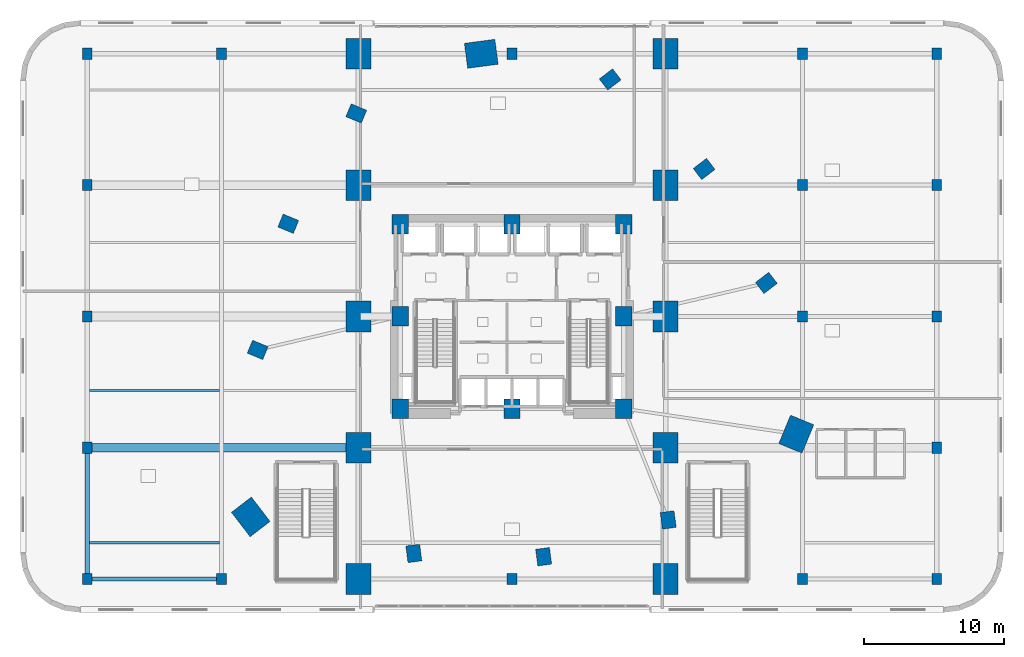
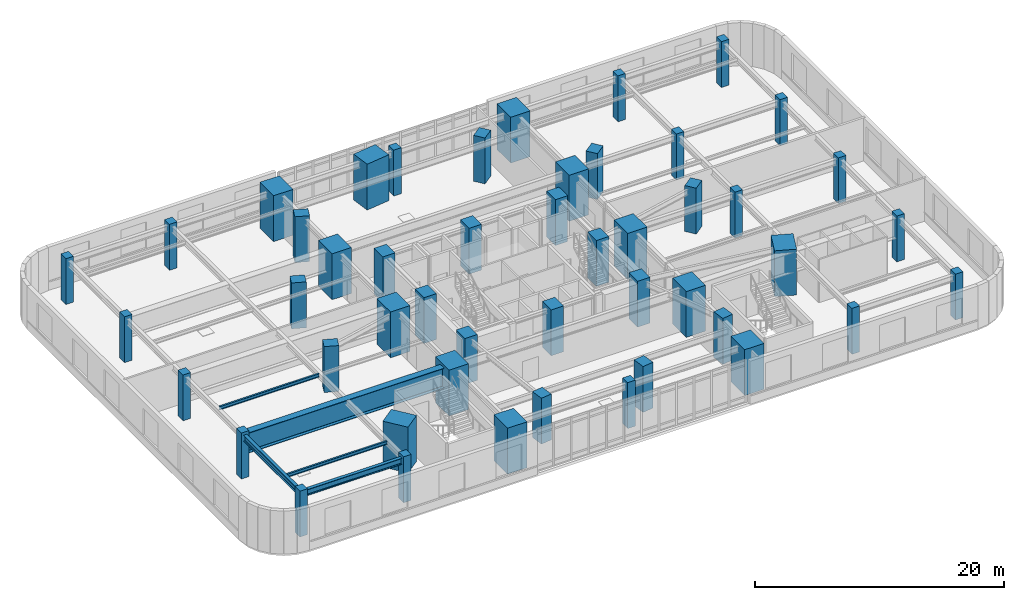
# One storey, part 1 of 19: 48 columns, 5 beams.
"""IFC4 building model written with IfcOpenShell, lengths in metres."""

from ifc_helpers import new_model, si_unit, direction, frame, origin, origin_2d, place, context, subcontext, project, spatial, rectangle, i_section, extrude, material, material_profile, profile_set, type_object, element, save


model = new_model("IFC4")

# Units and contexts
model_context = context("Model", 3, precision=1e-05, world=origin(), true_north=direction((0.0, 1.0)))
body_context = subcontext(model_context, "Body", "Model", "MODEL_VIEW")
ifc_project = project(units=[si_unit("LENGTHUNIT", "METRE"), si_unit("AREAUNIT", "SQUARE_METRE"), si_unit("VOLUMEUNIT", "CUBIC_METRE"), si_unit("PLANEANGLEUNIT", "RADIAN"), si_unit("MASSUNIT", "GRAM", prefix="KILO")], contexts=[model_context])

# Site, building, storey
site_placement = place(None, origin())
site = spatial("IfcSite", under=ifc_project, at=site_placement, CompositionType="ELEMENT")
building_placement = place(site_placement, origin())
building = spatial("IfcBuilding", under=site, at=building_placement, Name="Ndelora Gate Hotel", CompositionType="ELEMENT")
storey_placement = place(building_placement, frame((0.0, 0.0, 21.5)))
storey = spatial("IfcBuildingStorey", under=building, at=storey_placement, Name="L04", CompositionType="ELEMENT", Elevation=21.5)

# Columns
ifc_material_1 = material(Name="Concrete C60/75", Category="concrete")
ifc_material_profile_1 = material_profile(ifc_material_1, rectangle(XDim=1.800048828125, YDim=2.199951171875, at=origin_2d()), Name="RC 2200x1800")
ifc_profile_set_1 = profile_set([ifc_material_profile_1], Name="Concrete C60/75")
column_type_1 = type_object("IfcColumnType", Name="COL-ARCH-PIER", PredefinedType="COLUMN", material=ifc_profile_set_1)
for number, where, z_axis, x_axis, name in (
    (1, (-11.0, -18.800048828125, 0.0), (0.0, 0.0, 1.0), (1.0, 0.0, 0.0), "L04 Podium Column PC-04-01"),
    (2, (-11.0, -9.39990234375, 0.0), (0.0, 0.0, 1.0), (1.0, 0.0, 0.0), "L04 Podium Column PC-04-02"),
    (3, (-11.0, 0.0, 0.0), (0.0, 0.0, 1.0), (1.0, 0.0, 0.0), "L04 Podium Column PC-04-03"),
    (4, (-11.0, 9.39990234375, 0.0), (0.0, 0.0, 1.0), (1.0, 0.0, 0.0), "L04 Podium Column PC-04-04"),
    (5, (-11.0, 18.800048828125, 0.0), (0.0, 0.0, 1.0), (1.0, 0.0, 0.0), "L04 Podium Column PC-04-05"),
    (6, (11.0, -18.800048828125, 0.0), (0.0, 0.0, 1.0), (1.0, 0.0, 0.0), "L04 Podium Column PC-05-01"),
    (7, (11.0, -9.39990234375, 0.0), (0.0, 0.0, 1.0), (1.0, 0.0, 0.0), "L04 Podium Column PC-05-02"),
    (8, (11.0, 0.0, 0.0), (0.0, 0.0, 1.0), (1.0, 0.0, 0.0), "L04 Podium Column PC-05-03"),
    (9, (11.0, 9.39990234375, 0.0), (0.0, 0.0, 1.0), (1.0, 0.0, 0.0), "L04 Podium Column PC-05-04"),
    (10, (11.0, 18.800048828125, 0.0), (0.0, 0.0, 1.0), (1.0, 0.0, 0.0), "L04 Podium Column PC-05-05"),
):
    element("IfcColumn", number, at=place(storey_placement, frame(where, z_axis=z_axis, x_axis=x_axis)), inside=storey, type_object=column_type_1, Name=name, PredefinedType="COLUMN", context=body_context, shape_type="SweptSolid", body=[
        extrude(rectangle(XDim=1.800048828125, YDim=2.199951171875, at=origin_2d()), origin(), (0.0, 0.0, 1.0), 4.5),
    ])
ifc_material_profile_2 = material_profile(ifc_material_1, rectangle(XDim=1.14990234375, YDim=1.39990234375, at=origin_2d()), Name="RC 1400x1150")
ifc_profile_set_2 = profile_set([ifc_material_profile_2], Name="Concrete C60/75")
column_type_2 = type_object("IfcColumnType", Name="COL-CC-LOW", PredefinedType="COLUMN", material=ifc_profile_set_2)
for number, where, z_axis, x_axis, name in (
    (11, (-8.0, -6.60009765625, 0.0), (0.0, 0.0, 1.0), (1.0, 0.0, 0.0), "L04 Core Column CC1"),
    (12, (0.0, -6.60009765625, 0.0), (0.0, 0.0, 1.0), (1.0, 0.0, 0.0), "L04 Core Column CC2"),
    (13, (8.0, -6.60009765625, 0.0), (0.0, 0.0, 1.0), (1.0, 0.0, 0.0), "L04 Core Column CC3"),
    (14, (8.0, 0.0, 0.0), (0.0, 0.0, 1.0), (1.0, 0.0, 0.0), "L04 Core Column CC4"),
    (15, (8.0, 6.60009765625, 0.0), (0.0, 0.0, 1.0), (1.0, 0.0, 0.0), "L04 Core Column CC5"),
    (16, (0.0, 6.60009765625, 0.0), (0.0, 0.0, 1.0), (1.0, 0.0, 0.0), "L04 Core Column CC6"),
    (17, (-8.0, 6.60009765625, 0.0), (0.0, 0.0, 1.0), (1.0, 0.0, 0.0), "L04 Core Column CC7"),
    (18, (-8.0, 0.0, 0.0), (0.0, 0.0, 1.0), (1.0, 0.0, 0.0), "L04 Core Column CC8"),
):
    element("IfcColumn", number, at=place(storey_placement, frame(where, z_axis=z_axis, x_axis=x_axis)), inside=storey, type_object=column_type_2, Name=name, PredefinedType="COLUMN", context=body_context, shape_type="SweptSolid", body=[
        extrude(rectangle(XDim=1.14990234375, YDim=1.39990234375, at=origin_2d()), origin(), (0.0, 0.0, 1.0), 4.5),
    ])
ifc_material_profile_3 = material_profile(ifc_material_1, rectangle(XDim=1.800048828125, YDim=2.199951171875, at=origin_2d()), Name="RC 2200x1800")
ifc_profile_set_3 = profile_set([ifc_material_profile_3], Name="Concrete C60/75")
column_type_3 = type_object("IfcColumnType", Name="COL-MC-Z1", PredefinedType="COLUMN", material=ifc_profile_set_3)
for number, where, z_axis, x_axis, name in (
    (19, (-2.199951171875, 18.800048828125, 0.0), (0.0, 0.0, 1.0), (-0.13052619222, 0.991444861374, 0.0), "L04 Tower Plumb Root Column R1"),
    (20, (-18.701904296875, -14.3505859375, 0.0), (0.0, 0.0, 1.0), (0.793353340291, 0.608761429009, 0.0), "L04 Tower Plumb Root Column R5"),
    (21, (20.35009765625, -8.42919921875, 0.0), (0.0, 0.0, 1.0), (-0.923879532511, 0.382683432365, 0.0), "L04 Tower Plumb Root Column R9"),
):
    element("IfcColumn", number, at=place(storey_placement, frame(where, z_axis=z_axis, x_axis=x_axis)), inside=storey, type_object=column_type_3, Name=name, PredefinedType="COLUMN", context=body_context, shape_type="SweptSolid", body=[
        extrude(rectangle(XDim=1.800048828125, YDim=2.199951171875, at=origin_2d()), origin(), (0.0, 0.0, 1.0), 4.5),
    ])
ifc_material_2 = material(Name="Concrete C50/60", Category="concrete")
ifc_material_profile_4 = material_profile(ifc_material_2, rectangle(XDim=0.699951171875, YDim=0.800048828125, at=origin_2d()), Name="RC 800x700")
ifc_profile_set_4 = profile_set([ifc_material_profile_4], Name="Concrete C50/60")
column_type_4 = type_object("IfcColumnType", Name="COL-POD-UP", PredefinedType="COLUMN", material=ifc_profile_set_4)
for number, where, z_axis, x_axis, name in (
    (22, (-30.39990234375, -18.800048828125, 0.0), (0.0, 0.0, 1.0), (1.0, 0.0, 0.0), "L04 Podium Column PC-02-01"),
    (23, (-30.39990234375, -9.39990234375, 0.0), (0.0, 0.0, 1.0), (1.0, 0.0, 0.0), "L04 Podium Column PC-02-02"),
    (24, (-30.39990234375, 0.0, 0.0), (0.0, 0.0, 1.0), (1.0, 0.0, 0.0), "L04 Podium Column PC-02-03"),
    (25, (-30.39990234375, 9.39990234375, 0.0), (0.0, 0.0, 1.0), (1.0, 0.0, 0.0), "L04 Podium Column PC-02-04"),
    (26, (-30.39990234375, 18.800048828125, 0.0), (0.0, 0.0, 1.0), (1.0, 0.0, 0.0), "L04 Podium Column PC-02-05"),
    (27, (-20.800048828125, -18.800048828125, 0.0), (0.0, 0.0, 1.0), (1.0, 0.0, 0.0), "L04 Podium Column PC-03-01"),
    (28, (-20.800048828125, 18.800048828125, 0.0), (0.0, 0.0, 1.0), (1.0, 0.0, 0.0), "L04 Podium Column PC-03-05"),
    (29, (20.800048828125, -18.800048828125, 0.0), (0.0, 0.0, 1.0), (1.0, 0.0, 0.0), "L04 Podium Column PC-06-01"),
    (30, (20.800048828125, 0.0, 0.0), (0.0, 0.0, 1.0), (1.0, 0.0, 0.0), "L04 Podium Column PC-06-03"),
    (31, (20.800048828125, 9.39990234375, 0.0), (0.0, 0.0, 1.0), (1.0, 0.0, 0.0), "L04 Podium Column PC-06-04"),
    (32, (20.800048828125, 18.800048828125, 0.0), (0.0, 0.0, 1.0), (1.0, 0.0, 0.0), "L04 Podium Column PC-06-05"),
    (33, (30.39990234375, -18.800048828125, 0.0), (0.0, 0.0, 1.0), (1.0, 0.0, 0.0), "L04 Podium Column PC-07-01"),
    (34, (30.39990234375, -9.39990234375, 0.0), (0.0, 0.0, 1.0), (1.0, 0.0, 0.0), "L04 Podium Column PC-07-02"),
    (35, (30.39990234375, 0.0, 0.0), (0.0, 0.0, 1.0), (1.0, 0.0, 0.0), "L04 Podium Column PC-07-03"),
    (36, (30.39990234375, 9.39990234375, 0.0), (0.0, 0.0, 1.0), (1.0, 0.0, 0.0), "L04 Podium Column PC-07-04"),
    (37, (30.39990234375, 18.800048828125, 0.0), (0.0, 0.0, 1.0), (1.0, 0.0, 0.0), "L04 Podium Column PC-07-05"),
    (38, (0.0, -18.800048828125, 0.0), (0.0, 0.0, 1.0), (1.0, 0.0, 0.0), "L04 Portal Arch Crown Column S"),
    (39, (0.0, 18.800048828125, 0.0), (0.0, 0.0, 1.0), (1.0, 0.0, 0.0), "L04 Portal Arch Crown Column N"),
):
    element("IfcColumn", number, at=place(storey_placement, frame(where, z_axis=z_axis, x_axis=x_axis)), inside=storey, type_object=column_type_4, Name=name, PredefinedType="COLUMN", context=body_context, shape_type="SweptSolid", body=[
        extrude(rectangle(XDim=0.699951171875, YDim=0.800048828125, at=origin_2d()), origin(), (0.0, 0.0, 1.0), 4.5),
    ])
ifc_material_profile_5 = material_profile(ifc_material_1, rectangle(XDim=1.0, YDim=1.199951171875, at=origin_2d()), Name="RC 1200x1000")
ifc_profile_set_5 = profile_set([ifc_material_profile_5], Name="Concrete C60/75")
column_type_5 = type_object("IfcColumnType", Name="COL-PT-Z1", PredefinedType="COLUMN", material=ifc_profile_set_5)
for number, where, z_axis, x_axis, name in (
    (40, (-11.1484375, 14.529052734375, 0.0), (0.0, 0.0, 1.0), (0.382683432365, 0.923879532511, 0.0), "L04 Tower Plumb Root Column R2"),
    (41, (-16.016845703125, 6.634521484375, 0.0), (0.0, 0.0, 1.0), (0.382683432365, 0.923879532511, 0.0), "L04 Tower Plumb Root Column R3"),
    (42, (-18.207275390625, -2.39697265625, 0.0), (0.0, 0.0, 1.0), (0.382683432365, 0.923879532511, 0.0), "L04 Tower Plumb Root Column R4"),
    (43, (-7.027587890625, -16.96630859375, 0.0), (0.0, 0.0, 1.0), (0.991444861374, 0.13052619222, 0.0), "L04 Tower Plumb Root Column R6"),
    (44, (2.2646484375, -17.20166015625, 0.0), (0.0, 0.0, 1.0), (0.991444861374, 0.13052619222, 0.0), "L04 Tower Plumb Root Column R7"),
    (45, (11.179443359375, -14.5693359375, 0.0), (0.0, 0.0, 1.0), (0.991444861374, 0.13052619222, 0.0), "L04 Tower Plumb Root Column R8"),
    (46, (18.207275390625, 2.39697265625, 0.0), (0.0, 0.0, 1.0), (-0.608761429009, 0.793353340291, 0.0), "L04 Tower Plumb Root Column R10"),
    (47, (13.75390625, 10.5537109375, 0.0), (0.0, 0.0, 1.0), (-0.608761429009, 0.793353340291, 0.0), "L04 Tower Plumb Root Column R11"),
    (48, (7.027587890625, 16.96630859375, 0.0), (0.0, 0.0, 1.0), (-0.608761429009, 0.793353340291, 0.0), "L04 Tower Plumb Root Column R12"),
):
    element("IfcColumn", number, at=place(storey_placement, frame(where, z_axis=z_axis, x_axis=x_axis)), inside=storey, type_object=column_type_5, Name=name, PredefinedType="COLUMN", context=body_context, shape_type="SweptSolid", body=[
        extrude(rectangle(XDim=1.0, YDim=1.199951171875, at=origin_2d()), origin(), (0.0, 0.0, 1.0), 4.5),
    ])

# Beams
ifc_material_3 = material(Name="Steel S355", Category="steel")
ifc_material_profile_6 = material_profile(ifc_material_3, i_section(OverallWidth=0.159912109375, OverallDepth=0.330078125, WebThickness=0.007568359375, FlangeThickness=0.011474609375, FilletRadius=0.01806640625, at=origin_2d()), Name="IPE 330")
ifc_profile_set_6 = profile_set([ifc_material_profile_6], Name="Steel S355")
beam_type_1 = type_object("IfcBeamType", Name="BM-JST-330", PredefinedType="JOIST", material=ifc_profile_set_6)
for number, where, z_axis, x_axis, name in (
    (49, (-30.25, -16.199951171875, 4.054931640625), (1.0, 0.0, 0.0), (0.0, 1.0, 0.0), "L04 Podium Composite Secondary Joist 1"),
    (50, (-30.25, -5.300048828125, 4.054931640625), (1.0, 0.0, 0.0), (0.0, 1.0, 0.0), "L04 Podium Composite Secondary Joist 1"),
):
    element("IfcBeam", number, at=place(storey_placement, frame(where, z_axis=z_axis, x_axis=x_axis)), inside=storey, type_object=beam_type_1, Name=name, PredefinedType="JOIST", context=body_context, shape_type="SweptSolid", body=[
        extrude(i_section(OverallWidth=0.159912109375, OverallDepth=0.330078125, WebThickness=0.007568359375, FlangeThickness=0.011474609375, FilletRadius=0.01806640625, at=origin_2d()), origin(), (0.0, 0.0, 1.0), 9.300048828125),
    ])
ifc_material_profile_7 = material_profile(ifc_material_3, i_section(OverallWidth=0.300048828125, OverallDepth=0.60009765625, WebThickness=0.015380859375, FlangeThickness=0.030029296875, FilletRadius=0.027099609375, at=origin_2d()), Name="HEB 600")
ifc_profile_set_7 = profile_set([ifc_material_profile_7], Name="Steel S355")
beam_type_2 = type_object("IfcBeamType", Name="BM-POD-600", PredefinedType="BEAM", material=ifc_profile_set_7)
beam_1_placement = place(storey_placement, frame((-30.39990234375, -18.800048828125, 3.919921875), z_axis=(0.0, 1.0, 0.0), x_axis=(-1.0, 0.0, 0.0)))
element("IfcBeam", 51, at=beam_1_placement, inside=storey, type_object=beam_type_2, Name="L04 Podium Longitudinal Girder X=-30.4", PredefinedType="BEAM", context=body_context, shape_type="SweptSolid", body=[
    extrude(i_section(OverallWidth=0.300048828125, OverallDepth=0.60009765625, WebThickness=0.015380859375, FlangeThickness=0.030029296875, FilletRadius=0.027099609375, at=origin_2d()), origin(), (0.0, 0.0, 1.0), 9.400146484375),
])
beam_2_placement = place(storey_placement, frame((-30.39990234375, -18.800048828125, 3.919921875), z_axis=(1.0, 0.0, 0.0), x_axis=(0.0, 1.0, 0.0)))
element("IfcBeam", 52, at=beam_2_placement, inside=storey, type_object=beam_type_2, Name="L04 Podium Transverse Girder Y=-18.8", PredefinedType="BEAM", context=body_context, shape_type="SweptSolid", body=[
    extrude(i_section(OverallWidth=0.300048828125, OverallDepth=0.60009765625, WebThickness=0.015380859375, FlangeThickness=0.030029296875, FilletRadius=0.027099609375, at=origin_2d()), origin(), (0.0, 0.0, 1.0), 9.599853515625),
])
ifc_material_4 = material(Name="Steel S460", Category="steel")
ifc_material_profile_8 = material_profile(ifc_material_4, i_section(OverallWidth=0.6201171875, OverallDepth=2.0, WebThickness=0.028076171875, FlangeThickness=0.0400390625, FilletRadius=0.02392578125, at=origin_2d()), Name="PG 2000x620x40")
ifc_profile_set_8 = profile_set([ifc_material_profile_8], Name="Steel S460")
beam_type_3 = type_object("IfcBeamType", Name="BM-TR-2000", PredefinedType="BEAM", material=ifc_profile_set_8)
beam_3_placement = place(storey_placement, frame((-30.39990234375, -9.39990234375, 3.219970703125), z_axis=(1.0, 0.0, 0.0), x_axis=(0.0, 1.0, 0.0)))
element("IfcBeam", 53, at=beam_3_placement, inside=storey, type_object=beam_type_3, Name="L04 Podium Transverse Girder Y=-9.4", PredefinedType="BEAM", context=body_context, shape_type="SweptSolid", body=[
    extrude(i_section(OverallWidth=0.6201171875, OverallDepth=2.0, WebThickness=0.028076171875, FlangeThickness=0.0400390625, FilletRadius=0.02392578125, at=origin_2d()), origin(), (0.0, 0.0, 1.0), 19.39990234375),
])

save(model, "model.ifc")
